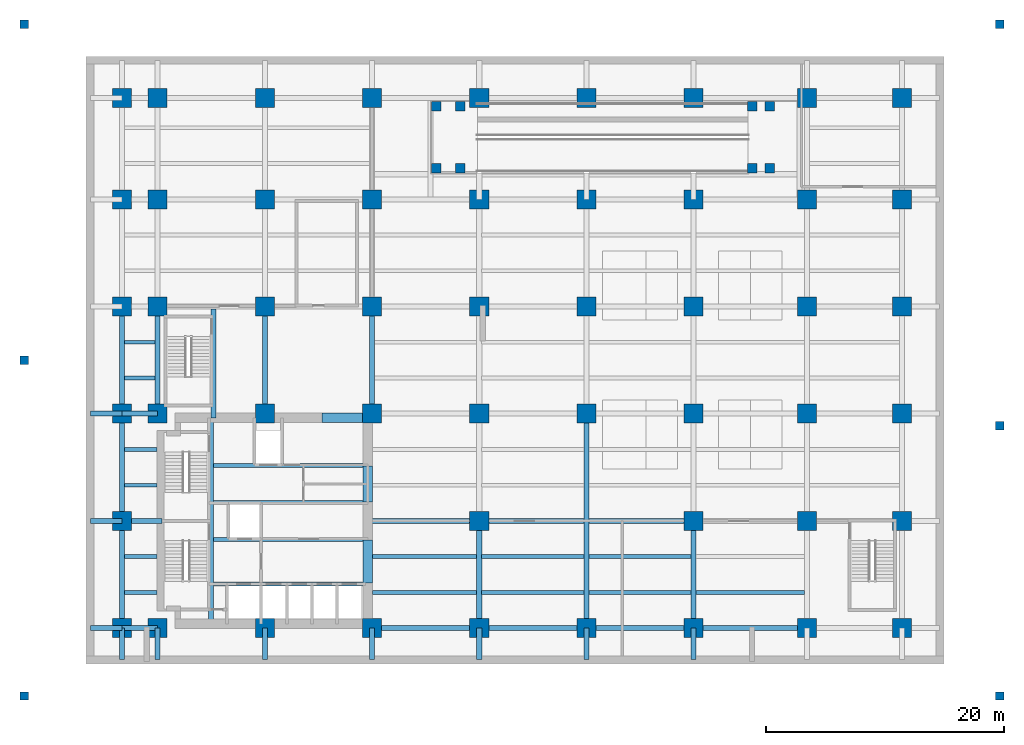
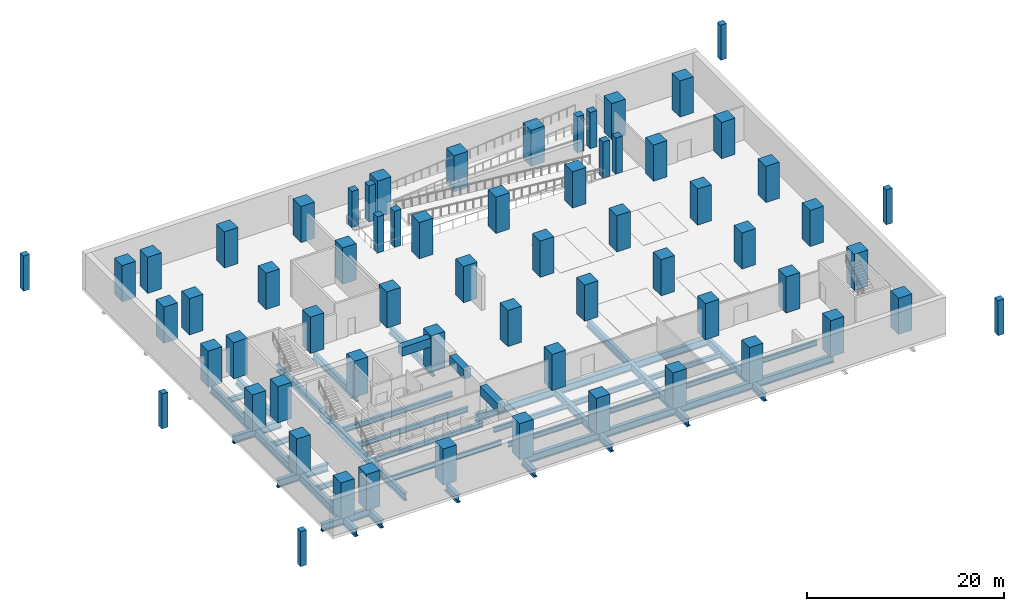
# One storey, part 1 of 10: 64 columns, 50 beams.
"""IFC4 building model written with IfcOpenShell, lengths in metres."""

from ifc_helpers import new_model, si_unit, direction, frame, origin, origin_2d, place, context, subcontext, project, spatial, rectangle, i_section, extrude, material, material_profile, profile_set, type_object, element, save


model = new_model("IFC4")

# Units and contexts
model_context = context("Model", 3, precision=1e-05, world=origin(), true_north=direction((0.0, 1.0)))
body_context = subcontext(model_context, "Body", "Model", "MODEL_VIEW")
ifc_project = project(units=[si_unit("LENGTHUNIT", "METRE"), si_unit("AREAUNIT", "SQUARE_METRE"), si_unit("VOLUMEUNIT", "CUBIC_METRE"), si_unit("PLANEANGLEUNIT", "RADIAN"), si_unit("MASSUNIT", "GRAM", prefix="KILO")], contexts=[model_context])

# Site, building, storey
site_placement = place(None, origin())
site = spatial("IfcSite", under=ifc_project, at=site_placement, CompositionType="ELEMENT")
building_placement = place(site_placement, origin())
building = spatial("IfcBuilding", under=site, at=building_placement, Name="Mawjdan Bourse Tower", CompositionType="ELEMENT")
storey_placement = place(building_placement, frame((0.0, 0.0, -4.5)))
storey = spatial("IfcBuildingStorey", under=building, at=storey_placement, Name="B01", CompositionType="ELEMENT", Elevation=-4.5)

# Columns
ifc_material_1 = material(Name="Concrete C80/95", Category="concrete")
ifc_material_profile_1 = material_profile(ifc_material_1, rectangle(XDim=1.60009765625, YDim=1.60009765625, at=origin_2d()), Name="RC1600X1600")
ifc_profile_set_1 = profile_set([ifc_material_profile_1], Name="Concrete C80/95")
column_type_1 = type_object("IfcColumnType", Name="COL-RC1600X1600", PredefinedType="COLUMN", material=ifc_profile_set_1)
for number, where, z_axis, x_axis, name in (
    (1, (3.0, 3.0, 0.0), (0.0, 0.0, 1.0), (1.0, 0.0, 0.0), "B01 Structural Column C-X30-Y30"),
    (2, (3.0, 12.0, 0.0), (0.0, 0.0, 1.0), (1.0, 0.0, 0.0), "B01 Structural Column C-X30-Y120"),
    (3, (3.0, 21.0, 0.0), (0.0, 0.0, 1.0), (1.0, 0.0, 0.0), "B01 Structural Column C-X30-Y210"),
    (4, (3.0, 30.0, 0.0), (0.0, 0.0, 1.0), (1.0, 0.0, 0.0), "B01 Structural Column C-X30-Y300"),
    (5, (3.0, 39.0, 0.0), (0.0, 0.0, 1.0), (1.0, 0.0, 0.0), "B01 Structural Column C-X30-Y390"),
    (6, (3.0, 47.5, 0.0), (0.0, 0.0, 1.0), (1.0, 0.0, 0.0), "B01 Structural Column C-X30-Y475"),
    (7, (6.0, 3.0, 0.0), (0.0, 0.0, 1.0), (1.0, 0.0, 0.0), "B01 Structural Column C-X60-Y30"),
    (8, (6.0, 21.0, 0.0), (0.0, 0.0, 1.0), (1.0, 0.0, 0.0), "B01 Structural Column C-X60-Y210"),
    (9, (6.0, 30.0, 0.0), (0.0, 0.0, 1.0), (1.0, 0.0, 0.0), "B01 Structural Column C-X60-Y300"),
    (10, (6.0, 39.0, 0.0), (0.0, 0.0, 1.0), (1.0, 0.0, 0.0), "B01 Structural Column C-X60-Y390"),
    (11, (6.0, 47.5, 0.0), (0.0, 0.0, 1.0), (1.0, 0.0, 0.0), "B01 Structural Column C-X60-Y475"),
    (12, (15.0, 3.0, 0.0), (0.0, 0.0, 1.0), (1.0, 0.0, 0.0), "B01 Structural Column C-X150-Y30"),
    (13, (15.0, 21.0, 0.0), (0.0, 0.0, 1.0), (1.0, 0.0, 0.0), "B01 Structural Column C-X150-Y210"),
    (14, (15.0, 30.0, 0.0), (0.0, 0.0, 1.0), (1.0, 0.0, 0.0), "B01 Structural Column C-X150-Y300"),
    (15, (15.0, 39.0, 0.0), (0.0, 0.0, 1.0), (1.0, 0.0, 0.0), "B01 Structural Column C-X150-Y390"),
    (16, (15.0, 47.5, 0.0), (0.0, 0.0, 1.0), (1.0, 0.0, 0.0), "B01 Structural Column C-X150-Y475"),
    (17, (24.0, 3.0, 0.0), (0.0, 0.0, 1.0), (1.0, 0.0, 0.0), "B01 Structural Column C-X240-Y30"),
    (18, (24.0, 21.0, 0.0), (0.0, 0.0, 1.0), (1.0, 0.0, 0.0), "B01 Structural Column C-X240-Y210"),
    (19, (24.0, 30.0, 0.0), (0.0, 0.0, 1.0), (1.0, 0.0, 0.0), "B01 Structural Column C-X240-Y300"),
    (20, (24.0, 39.0, 0.0), (0.0, 0.0, 1.0), (1.0, 0.0, 0.0), "B01 Structural Column C-X240-Y390"),
    (21, (24.0, 47.5, 0.0), (0.0, 0.0, 1.0), (1.0, 0.0, 0.0), "B01 Structural Column C-X240-Y475"),
    (22, (33.0, 3.0, 0.0), (0.0, 0.0, 1.0), (1.0, 0.0, 0.0), "B01 Structural Column C-X330-Y30"),
    (23, (33.0, 12.0, 0.0), (0.0, 0.0, 1.0), (1.0, 0.0, 0.0), "B01 Structural Column C-X330-Y120"),
    (24, (33.0, 21.0, 0.0), (0.0, 0.0, 1.0), (1.0, 0.0, 0.0), "B01 Structural Column C-X330-Y210"),
    (25, (33.0, 30.0, 0.0), (0.0, 0.0, 1.0), (1.0, 0.0, 0.0), "B01 Structural Column C-X330-Y300"),
    (26, (33.0, 39.0, 0.0), (0.0, 0.0, 1.0), (1.0, 0.0, 0.0), "B01 Structural Column C-X330-Y390"),
    (27, (33.0, 47.5, 0.0), (0.0, 0.0, 1.0), (1.0, 0.0, 0.0), "B01 Structural Column C-X330-Y475"),
    (28, (42.0, 3.0, 0.0), (0.0, 0.0, 1.0), (1.0, 0.0, 0.0), "B01 Structural Column C-X420-Y30"),
    (29, (42.0, 21.0, 0.0), (0.0, 0.0, 1.0), (1.0, 0.0, 0.0), "B01 Structural Column C-X420-Y210"),
    (30, (42.0, 30.0, 0.0), (0.0, 0.0, 1.0), (1.0, 0.0, 0.0), "B01 Structural Column C-X420-Y300"),
    (31, (42.0, 39.0, 0.0), (0.0, 0.0, 1.0), (1.0, 0.0, 0.0), "B01 Structural Column C-X420-Y390"),
    (32, (42.0, 47.5, 0.0), (0.0, 0.0, 1.0), (1.0, 0.0, 0.0), "B01 Structural Column C-X420-Y475"),
    (33, (51.0, 3.0, 0.0), (0.0, 0.0, 1.0), (1.0, 0.0, 0.0), "B01 Structural Column C-X510-Y30"),
    (34, (51.0, 12.0, 0.0), (0.0, 0.0, 1.0), (1.0, 0.0, 0.0), "B01 Structural Column C-X510-Y120"),
    (35, (51.0, 21.0, 0.0), (0.0, 0.0, 1.0), (1.0, 0.0, 0.0), "B01 Structural Column C-X510-Y210"),
    (36, (51.0, 30.0, 0.0), (0.0, 0.0, 1.0), (1.0, 0.0, 0.0), "B01 Structural Column C-X510-Y300"),
    (37, (51.0, 39.0, 0.0), (0.0, 0.0, 1.0), (1.0, 0.0, 0.0), "B01 Structural Column C-X510-Y390"),
    (38, (51.0, 47.5, 0.0), (0.0, 0.0, 1.0), (1.0, 0.0, 0.0), "B01 Structural Column C-X510-Y475"),
    (39, (60.5, 3.0, 0.0), (0.0, 0.0, 1.0), (1.0, 0.0, 0.0), "B01 Structural Column C-X605-Y30"),
    (40, (60.5, 12.0, 0.0), (0.0, 0.0, 1.0), (1.0, 0.0, 0.0), "B01 Structural Column C-X605-Y120"),
    (41, (60.5, 21.0, 0.0), (0.0, 0.0, 1.0), (1.0, 0.0, 0.0), "B01 Structural Column C-X605-Y210"),
    (42, (60.5, 30.0, 0.0), (0.0, 0.0, 1.0), (1.0, 0.0, 0.0), "B01 Structural Column C-X605-Y300"),
    (43, (60.5, 39.0, 0.0), (0.0, 0.0, 1.0), (1.0, 0.0, 0.0), "B01 Structural Column C-X605-Y390"),
    (44, (60.5, 47.5, 0.0), (0.0, 0.0, 1.0), (1.0, 0.0, 0.0), "B01 Structural Column C-X605-Y475"),
    (45, (68.5, 3.0, 0.0), (0.0, 0.0, 1.0), (1.0, 0.0, 0.0), "B01 Structural Column C-X685-Y30"),
    (46, (68.5, 12.0, 0.0), (0.0, 0.0, 1.0), (1.0, 0.0, 0.0), "B01 Structural Column C-X685-Y120"),
    (47, (68.5, 21.0, 0.0), (0.0, 0.0, 1.0), (1.0, 0.0, 0.0), "B01 Structural Column C-X685-Y210"),
    (48, (68.5, 30.0, 0.0), (0.0, 0.0, 1.0), (1.0, 0.0, 0.0), "B01 Structural Column C-X685-Y300"),
    (49, (68.5, 39.0, 0.0), (0.0, 0.0, 1.0), (1.0, 0.0, 0.0), "B01 Structural Column C-X685-Y390"),
    (50, (68.5, 47.5, 0.0), (0.0, 0.0, 1.0), (1.0, 0.0, 0.0), "B01 Structural Column C-X685-Y475"),
):
    element("IfcColumn", number, at=place(storey_placement, frame(where, z_axis=z_axis, x_axis=x_axis)), inside=storey, type_object=column_type_1, Name=name, PredefinedType="COLUMN", context=body_context, shape_type="SweptSolid", body=[
        extrude(rectangle(XDim=1.60009765625, YDim=1.60009765625, at=origin_2d()), origin(), (0.0, 0.0, 1.0), 4.5),
    ])
ifc_material_2 = material(Name="Concrete C60/75", Category="concrete")
ifc_material_profile_2 = material_profile(ifc_material_2, rectangle(XDim=0.699951171875, YDim=0.699951171875, at=origin_2d()), Name="RC700X700")
ifc_profile_set_2 = profile_set([ifc_material_profile_2], Name="Concrete C60/75")
column_type_2 = type_object("IfcColumnType", Name="COL-RC700X700", PredefinedType="COLUMN", material=ifc_profile_set_2)
for number, where, z_axis, x_axis, name in (
    (51, (-5.199951171875, -2.699951171875, 0.0), (0.0, 0.0, 1.0), (1.0, 0.0, 0.0), "B01 Structural Column CP-X52W-Y27S"),
    (52, (-5.199951171875, 25.5, 0.0), (0.0, 0.0, 1.0), (1.0, 0.0, 0.0), "B01 Structural Column CP-X52W-Y255N"),
    (53, (-5.199951171875, 53.699951171875, 0.0), (0.0, 0.0, 1.0), (1.0, 0.0, 0.0), "B01 Structural Column CP-X52W-Y537N"),
    (54, (76.699951171875, -2.699951171875, 0.0), (0.0, 0.0, 1.0), (1.0, 0.0, 0.0), "B01 Structural Column CP-X767E-Y27S"),
    (55, (76.699951171875, 20.0, 0.0), (0.0, 0.0, 1.0), (1.0, 0.0, 0.0), "B01 Structural Column CP-X767E-Y200N"),
    (56, (76.699951171875, 53.699951171875, 0.0), (0.0, 0.0, 1.0), (1.0, 0.0, 0.0), "B01 Structural Column CP-X767E-Y537N"),
):
    element("IfcColumn", number, at=place(storey_placement, frame(where, z_axis=z_axis, x_axis=x_axis)), inside=storey, type_object=column_type_2, Name=name, PredefinedType="COLUMN", context=body_context, shape_type="SweptSolid", body=[
        extrude(rectangle(XDim=0.699951171875, YDim=0.699951171875, at=origin_2d()), origin(), (0.0, 0.0, 1.0), 4.35009765625),
    ])
ifc_material_profile_3 = material_profile(ifc_material_2, rectangle(XDim=0.800048828125, YDim=0.800048828125, at=origin_2d()), Name="RC800X800")
ifc_profile_set_3 = profile_set([ifc_material_profile_3], Name="Concrete C60/75")
column_type_3 = type_object("IfcColumnType", Name="COL-RC800X800", PredefinedType="COLUMN", material=ifc_profile_set_3)
for number, where, z_axis, x_axis, name in (
    (57, (29.39990234375, 41.60009765625, 0.0), (0.0, 0.0, 1.0), (1.0, 0.0, 0.0), "B01 Ramp Support Column 1"),
    (58, (29.39990234375, 46.800048828125, 0.0), (0.0, 0.0, 1.0), (1.0, 0.0, 0.0), "B01 Ramp Support Column 2"),
    (59, (31.39990234375, 41.60009765625, 0.0), (0.0, 0.0, 1.0), (1.0, 0.0, 0.0), "B01 Ramp Support Column 3"),
    (60, (31.39990234375, 46.800048828125, 0.0), (0.0, 0.0, 1.0), (1.0, 0.0, 0.0), "B01 Ramp Support Column 4"),
    (61, (55.89990234375, 41.60009765625, 0.0), (0.0, 0.0, 1.0), (1.0, 0.0, 0.0), "B01 Ramp Support Column 5"),
    (62, (55.89990234375, 46.800048828125, 0.0), (0.0, 0.0, 1.0), (1.0, 0.0, 0.0), "B01 Ramp Support Column 6"),
    (63, (57.39990234375, 41.60009765625, 0.0), (0.0, 0.0, 1.0), (1.0, 0.0, 0.0), "B01 Ramp Support Column 7"),
    (64, (57.39990234375, 46.800048828125, 0.0), (0.0, 0.0, 1.0), (1.0, 0.0, 0.0), "B01 Ramp Support Column 8"),
):
    element("IfcColumn", number, at=place(storey_placement, frame(where, z_axis=z_axis, x_axis=x_axis)), inside=storey, type_object=column_type_3, Name=name, PredefinedType="COLUMN", context=body_context, shape_type="SweptSolid", body=[
        extrude(rectangle(XDim=0.800048828125, YDim=0.800048828125, at=origin_2d()), origin(), (0.0, 0.0, 1.0), 4.5),
    ])

# Beams
ifc_material_3 = material(Name="Structural Steel S460", Category="steel")
ifc_material_profile_4 = material_profile(ifc_material_3, i_section(OverallWidth=0.423095703125, OverallDepth=0.93994140625, WebThickness=0.02392578125, FlangeThickness=0.042724609375, FilletRadius=0.0341796875, at=origin_2d()), Name="W36X302")
ifc_profile_set_4 = profile_set([ifc_material_profile_4], Name="Structural Steel S460")
beam_type_1 = type_object("IfcBeamType", Name="GRD-W36X302", PredefinedType="BEAM", material=ifc_profile_set_4)
beam_1_placement = place(storey_placement, frame((10.47998046875, 3.35009765625, -0.820068359375), z_axis=(0.0, 1.0, 0.0), x_axis=(-1.0, 0.0, 0.0)))
element("IfcBeam", 65, at=beam_1_placement, inside=storey, type_object=beam_type_1, Name="B01 Core Stair Trimmer Girder 001", PredefinedType="BEAM", context=body_context, shape_type="SweptSolid", body=[
    extrude(i_section(OverallWidth=0.423095703125, OverallDepth=0.93994140625, WebThickness=0.02392578125, FlangeThickness=0.042724609375, FilletRadius=0.0341796875, at=origin_2d()), origin(), (0.0, 0.0, 1.0), 17.2998046875),
])
beam_2_placement = place(storey_placement, frame((10.679931640625, 20.64990234375, -0.820068359375), z_axis=(0.0, 1.0, 0.0), x_axis=(-1.0, 0.0, 0.0)))
element("IfcBeam", 66, at=beam_2_placement, inside=storey, type_object=beam_type_1, Name="B01 North Stair Trimmer Girder 005", PredefinedType="BEAM", context=body_context, shape_type="SweptSolid", body=[
    extrude(i_section(OverallWidth=0.423095703125, OverallDepth=0.93994140625, WebThickness=0.02392578125, FlangeThickness=0.042724609375, FilletRadius=0.0341796875, at=origin_2d()), origin(), (0.0, 0.0, 1.0), 9.140625),
])
beam_3_placement = place(storey_placement, frame((3.0, 0.35009765625, -0.820068359375), z_axis=(0.0, 1.0, 0.0), x_axis=(-1.0, 0.0, 0.0)))
element("IfcBeam", 67, at=beam_3_placement, inside=storey, type_object=beam_type_1, Name="B01 Podium Primary Girder 006", PredefinedType="BEAM", context=body_context, shape_type="SweptSolid", body=[
    extrude(i_section(OverallWidth=0.423095703125, OverallDepth=0.93994140625, WebThickness=0.02392578125, FlangeThickness=0.042724609375, FilletRadius=0.0341796875, at=origin_2d()), origin(), (0.0, 0.0, 1.0), 2.64990234375),
])
for number, where, z_axis, x_axis, name in (
    (68, (3.0, 3.0, -0.820068359375), (0.0, 1.0, 0.0), (-1.0, 0.0, 0.0), "B01 Podium Primary Girder 007"),
    (69, (3.0, 12.0, -0.820068359375), (0.0, 1.0, 0.0), (-1.0, 0.0, 0.0), "B01 Podium Primary Girder 008"),
    (70, (3.0, 21.0, -0.820068359375), (0.0, 1.0, 0.0), (-1.0, 0.0, 0.0), "B01 Podium Primary Girder 009"),
):
    element("IfcBeam", number, at=place(storey_placement, frame(where, z_axis=z_axis, x_axis=x_axis)), inside=storey, type_object=beam_type_1, Name=name, PredefinedType="BEAM", context=body_context, shape_type="SweptSolid", body=[
        extrude(i_section(OverallWidth=0.423095703125, OverallDepth=0.93994140625, WebThickness=0.02392578125, FlangeThickness=0.042724609375, FilletRadius=0.0341796875, at=origin_2d()), origin(), (0.0, 0.0, 1.0), 9.0),
    ])
beam_4_placement = place(storey_placement, frame((6.0, 0.35009765625, -0.820068359375), z_axis=(0.0, 1.0, 0.0), x_axis=(-1.0, 0.0, 0.0)))
element("IfcBeam", 71, at=beam_4_placement, inside=storey, type_object=beam_type_1, Name="B01 Podium Primary Girder 013", PredefinedType="BEAM", context=body_context, shape_type="SweptSolid", body=[
    extrude(i_section(OverallWidth=0.423095703125, OverallDepth=0.93994140625, WebThickness=0.02392578125, FlangeThickness=0.042724609375, FilletRadius=0.0341796875, at=origin_2d()), origin(), (0.0, 0.0, 1.0), 2.64990234375),
])
beam_5_placement = place(storey_placement, frame((6.0, 21.0, -0.820068359375), z_axis=(0.0, 1.0, 0.0), x_axis=(-1.0, 0.0, 0.0)))
element("IfcBeam", 72, at=beam_5_placement, inside=storey, type_object=beam_type_1, Name="B01 Podium Primary Girder 014", PredefinedType="BEAM", context=body_context, shape_type="SweptSolid", body=[
    extrude(i_section(OverallWidth=0.423095703125, OverallDepth=0.93994140625, WebThickness=0.02392578125, FlangeThickness=0.042724609375, FilletRadius=0.0341796875, at=origin_2d()), origin(), (0.0, 0.0, 1.0), 9.0),
])
beam_6_placement = place(storey_placement, frame((15.0, 0.35009765625, -0.820068359375), z_axis=(0.0, 1.0, 0.0), x_axis=(-1.0, 0.0, 0.0)))
element("IfcBeam", 73, at=beam_6_placement, inside=storey, type_object=beam_type_1, Name="B01 Podium Primary Girder 018", PredefinedType="BEAM", context=body_context, shape_type="SweptSolid", body=[
    extrude(i_section(OverallWidth=0.423095703125, OverallDepth=0.93994140625, WebThickness=0.02392578125, FlangeThickness=0.042724609375, FilletRadius=0.0341796875, at=origin_2d()), origin(), (0.0, 0.0, 1.0), 2.64990234375),
])
beam_7_placement = place(storey_placement, frame((15.0, 21.0, -0.820068359375), z_axis=(0.0, 1.0, 0.0), x_axis=(-1.0, 0.0, 0.0)))
element("IfcBeam", 74, at=beam_7_placement, inside=storey, type_object=beam_type_1, Name="B01 Podium Primary Girder 019", PredefinedType="BEAM", context=body_context, shape_type="SweptSolid", body=[
    extrude(i_section(OverallWidth=0.423095703125, OverallDepth=0.93994140625, WebThickness=0.02392578125, FlangeThickness=0.042724609375, FilletRadius=0.0341796875, at=origin_2d()), origin(), (0.0, 0.0, 1.0), 9.0),
])
beam_8_placement = place(storey_placement, frame((24.0, 0.35009765625, -0.820068359375), z_axis=(0.0, 1.0, 0.0), x_axis=(-1.0, 0.0, 0.0)))
element("IfcBeam", 75, at=beam_8_placement, inside=storey, type_object=beam_type_1, Name="B01 Podium Primary Girder 023", PredefinedType="BEAM", context=body_context, shape_type="SweptSolid", body=[
    extrude(i_section(OverallWidth=0.423095703125, OverallDepth=0.93994140625, WebThickness=0.02392578125, FlangeThickness=0.042724609375, FilletRadius=0.0341796875, at=origin_2d()), origin(), (0.0, 0.0, 1.0), 2.64990234375),
])
beam_9_placement = place(storey_placement, frame((24.0, 21.0, -0.820068359375), z_axis=(0.0, 1.0, 0.0), x_axis=(-1.0, 0.0, 0.0)))
element("IfcBeam", 76, at=beam_9_placement, inside=storey, type_object=beam_type_1, Name="B01 Podium Primary Girder 024", PredefinedType="BEAM", context=body_context, shape_type="SweptSolid", body=[
    extrude(i_section(OverallWidth=0.423095703125, OverallDepth=0.93994140625, WebThickness=0.02392578125, FlangeThickness=0.042724609375, FilletRadius=0.0341796875, at=origin_2d()), origin(), (0.0, 0.0, 1.0), 9.0),
])
beam_10_placement = place(storey_placement, frame((33.0, 0.35009765625, -0.820068359375), z_axis=(0.0, 1.0, 0.0), x_axis=(-1.0, 0.0, 0.0)))
element("IfcBeam", 77, at=beam_10_placement, inside=storey, type_object=beam_type_1, Name="B01 Podium Primary Girder 028", PredefinedType="BEAM", context=body_context, shape_type="SweptSolid", body=[
    extrude(i_section(OverallWidth=0.423095703125, OverallDepth=0.93994140625, WebThickness=0.02392578125, FlangeThickness=0.042724609375, FilletRadius=0.0341796875, at=origin_2d()), origin(), (0.0, 0.0, 1.0), 2.64990234375),
])
beam_11_placement = place(storey_placement, frame((33.0, 3.0, -0.820068359375), z_axis=(0.0, 1.0, 0.0), x_axis=(-1.0, 0.0, 0.0)))
element("IfcBeam", 78, at=beam_11_placement, inside=storey, type_object=beam_type_1, Name="B01 Podium Primary Girder 029", PredefinedType="BEAM", context=body_context, shape_type="SweptSolid", body=[
    extrude(i_section(OverallWidth=0.423095703125, OverallDepth=0.93994140625, WebThickness=0.02392578125, FlangeThickness=0.042724609375, FilletRadius=0.0341796875, at=origin_2d()), origin(), (0.0, 0.0, 1.0), 9.0),
])
beam_12_placement = place(storey_placement, frame((42.0, 0.35009765625, -0.820068359375), z_axis=(0.0, 1.0, 0.0), x_axis=(-1.0, 0.0, 0.0)))
element("IfcBeam", 79, at=beam_12_placement, inside=storey, type_object=beam_type_1, Name="B01 Podium Primary Girder 035", PredefinedType="BEAM", context=body_context, shape_type="SweptSolid", body=[
    extrude(i_section(OverallWidth=0.423095703125, OverallDepth=0.93994140625, WebThickness=0.02392578125, FlangeThickness=0.042724609375, FilletRadius=0.0341796875, at=origin_2d()), origin(), (0.0, 0.0, 1.0), 2.64990234375),
])
beam_13_placement = place(storey_placement, frame((42.0, 3.0, -0.820068359375), z_axis=(0.0, 1.0, 0.0), x_axis=(-1.0, 0.0, 0.0)))
element("IfcBeam", 80, at=beam_13_placement, inside=storey, type_object=beam_type_1, Name="B01 Podium Primary Girder 036", PredefinedType="BEAM", context=body_context, shape_type="SweptSolid", body=[
    extrude(i_section(OverallWidth=0.423095703125, OverallDepth=0.93994140625, WebThickness=0.02392578125, FlangeThickness=0.042724609375, FilletRadius=0.0341796875, at=origin_2d()), origin(), (0.0, 0.0, 1.0), 18.0),
])
beam_14_placement = place(storey_placement, frame((51.0, 0.35009765625, -0.820068359375), z_axis=(0.0, 1.0, 0.0), x_axis=(-1.0, 0.0, 0.0)))
element("IfcBeam", 81, at=beam_14_placement, inside=storey, type_object=beam_type_1, Name="B01 Podium Primary Girder 041", PredefinedType="BEAM", context=body_context, shape_type="SweptSolid", body=[
    extrude(i_section(OverallWidth=0.423095703125, OverallDepth=0.93994140625, WebThickness=0.02392578125, FlangeThickness=0.042724609375, FilletRadius=0.0341796875, at=origin_2d()), origin(), (0.0, 0.0, 1.0), 2.64990234375),
])
beam_15_placement = place(storey_placement, frame((51.0, 3.0, -0.820068359375), z_axis=(0.0, 1.0, 0.0), x_axis=(-1.0, 0.0, 0.0)))
element("IfcBeam", 82, at=beam_15_placement, inside=storey, type_object=beam_type_1, Name="B01 Podium Primary Girder 042", PredefinedType="BEAM", context=body_context, shape_type="SweptSolid", body=[
    extrude(i_section(OverallWidth=0.423095703125, OverallDepth=0.93994140625, WebThickness=0.02392578125, FlangeThickness=0.042724609375, FilletRadius=0.0341796875, at=origin_2d()), origin(), (0.0, 0.0, 1.0), 9.0),
])
beam_16_placement = place(storey_placement, frame((0.35009765625, 3.0, -0.820068359375), z_axis=(1.0, 0.0, 0.0), x_axis=(0.0, 1.0, 0.0)))
element("IfcBeam", 83, at=beam_16_placement, inside=storey, type_object=beam_type_1, Name="B01 Podium Tie Girder 062", PredefinedType="BEAM", context=body_context, shape_type="SweptSolid", body=[
    extrude(i_section(OverallWidth=0.423095703125, OverallDepth=0.93994140625, WebThickness=0.02392578125, FlangeThickness=0.042724609375, FilletRadius=0.0341796875, at=origin_2d()), origin(), (0.0, 0.0, 1.0), 2.64990234375),
])
beam_17_placement = place(storey_placement, frame((3.0, 3.0, -0.820068359375), z_axis=(1.0, 0.0, 0.0), x_axis=(0.0, 1.0, 0.0)))
element("IfcBeam", 84, at=beam_17_placement, inside=storey, type_object=beam_type_1, Name="B01 Podium Tie Girder 063", PredefinedType="BEAM", context=body_context, shape_type="SweptSolid", body=[
    extrude(i_section(OverallWidth=0.423095703125, OverallDepth=0.93994140625, WebThickness=0.02392578125, FlangeThickness=0.042724609375, FilletRadius=0.0341796875, at=origin_2d()), origin(), (0.0, 0.0, 1.0), 3.0),
])
for number, where, z_axis, x_axis, name in (
    (85, (24.0, 3.0, -0.820068359375), (1.0, 0.0, 0.0), (0.0, 1.0, 0.0), "B01 Podium Tie Girder 064"),
    (86, (33.0, 3.0, -0.820068359375), (1.0, 0.0, 0.0), (0.0, 1.0, 0.0), "B01 Podium Tie Girder 065"),
    (87, (42.0, 3.0, -0.820068359375), (1.0, 0.0, 0.0), (0.0, 1.0, 0.0), "B01 Podium Tie Girder 066"),
):
    element("IfcBeam", number, at=place(storey_placement, frame(where, z_axis=z_axis, x_axis=x_axis)), inside=storey, type_object=beam_type_1, Name=name, PredefinedType="BEAM", context=body_context, shape_type="SweptSolid", body=[
        extrude(i_section(OverallWidth=0.423095703125, OverallDepth=0.93994140625, WebThickness=0.02392578125, FlangeThickness=0.042724609375, FilletRadius=0.0341796875, at=origin_2d()), origin(), (0.0, 0.0, 1.0), 9.0),
    ])
beam_18_placement = place(storey_placement, frame((51.0, 3.0, -0.820068359375), z_axis=(1.0, 0.0, 0.0), x_axis=(0.0, 1.0, 0.0)))
element("IfcBeam", 88, at=beam_18_placement, inside=storey, type_object=beam_type_1, Name="B01 Podium Tie Girder 067", PredefinedType="BEAM", context=body_context, shape_type="SweptSolid", body=[
    extrude(i_section(OverallWidth=0.423095703125, OverallDepth=0.93994140625, WebThickness=0.02392578125, FlangeThickness=0.042724609375, FilletRadius=0.0341796875, at=origin_2d()), origin(), (0.0, 0.0, 1.0), 9.5),
])
beam_19_placement = place(storey_placement, frame((0.35009765625, 12.0, -0.820068359375), z_axis=(1.0, 0.0, 0.0), x_axis=(0.0, 1.0, 0.0)))
element("IfcBeam", 89, at=beam_19_placement, inside=storey, type_object=beam_type_1, Name="B01 Podium Tie Girder 070", PredefinedType="BEAM", context=body_context, shape_type="SweptSolid", body=[
    extrude(i_section(OverallWidth=0.423095703125, OverallDepth=0.93994140625, WebThickness=0.02392578125, FlangeThickness=0.042724609375, FilletRadius=0.0341796875, at=origin_2d()), origin(), (0.0, 0.0, 1.0), 2.64990234375),
])
beam_20_placement = place(storey_placement, frame((3.0, 12.0, -0.820068359375), z_axis=(1.0, 0.0, 0.0), x_axis=(0.0, 1.0, 0.0)))
element("IfcBeam", 90, at=beam_20_placement, inside=storey, type_object=beam_type_1, Name="B01 Podium Core Tie Girder 071", PredefinedType="BEAM", context=body_context, shape_type="SweptSolid", body=[
    extrude(i_section(OverallWidth=0.423095703125, OverallDepth=0.93994140625, WebThickness=0.02392578125, FlangeThickness=0.042724609375, FilletRadius=0.0341796875, at=origin_2d()), origin(), (0.0, 0.0, 1.0), 3.35009765625),
])
beam_21_placement = place(storey_placement, frame((23.64990234375, 12.0, -0.820068359375), z_axis=(1.0, 0.0, 0.0), x_axis=(0.0, 1.0, 0.0)))
element("IfcBeam", 91, at=beam_21_placement, inside=storey, type_object=beam_type_1, Name="B01 Podium Tie Girder 072", PredefinedType="BEAM", context=body_context, shape_type="SweptSolid", body=[
    extrude(i_section(OverallWidth=0.423095703125, OverallDepth=0.93994140625, WebThickness=0.02392578125, FlangeThickness=0.042724609375, FilletRadius=0.0341796875, at=origin_2d()), origin(), (0.0, 0.0, 1.0), 9.35009765625),
])
beam_22_placement = place(storey_placement, frame((33.0, 12.0, -0.820068359375), z_axis=(1.0, 0.0, 0.0), x_axis=(0.0, 1.0, 0.0)))
element("IfcBeam", 92, at=beam_22_placement, inside=storey, type_object=beam_type_1, Name="B01 Podium Tie Girder 073", PredefinedType="BEAM", context=body_context, shape_type="SweptSolid", body=[
    extrude(i_section(OverallWidth=0.423095703125, OverallDepth=0.93994140625, WebThickness=0.02392578125, FlangeThickness=0.042724609375, FilletRadius=0.0341796875, at=origin_2d()), origin(), (0.0, 0.0, 1.0), 18.0),
])
beam_23_placement = place(storey_placement, frame((0.35009765625, 21.0, -0.820068359375), z_axis=(1.0, 0.0, 0.0), x_axis=(0.0, 1.0, 0.0)))
element("IfcBeam", 93, at=beam_23_placement, inside=storey, type_object=beam_type_1, Name="B01 Podium Tie Girder 077", PredefinedType="BEAM", context=body_context, shape_type="SweptSolid", body=[
    extrude(i_section(OverallWidth=0.423095703125, OverallDepth=0.93994140625, WebThickness=0.02392578125, FlangeThickness=0.042724609375, FilletRadius=0.0341796875, at=origin_2d()), origin(), (0.0, 0.0, 1.0), 2.64990234375),
])
beam_24_placement = place(storey_placement, frame((3.0, 21.0, -0.820068359375), z_axis=(1.0, 0.0, 0.0), x_axis=(0.0, 1.0, 0.0)))
element("IfcBeam", 94, at=beam_24_placement, inside=storey, type_object=beam_type_1, Name="B01 Podium Tie Girder 078", PredefinedType="BEAM", context=body_context, shape_type="SweptSolid", body=[
    extrude(i_section(OverallWidth=0.423095703125, OverallDepth=0.93994140625, WebThickness=0.02392578125, FlangeThickness=0.042724609375, FilletRadius=0.0341796875, at=origin_2d()), origin(), (0.0, 0.0, 1.0), 3.0),
])
ifc_material_4 = material(Name="Structural Steel S355", Category="steel")
ifc_material_profile_5 = material_profile(ifc_material_4, i_section(OverallWidth=0.324951171875, OverallDepth=0.616943359375, WebThickness=0.013916015625, FlangeThickness=0.021484375, FilletRadius=0.017333984375, at=origin_2d()), Name="W24X117")
ifc_profile_set_5 = profile_set([ifc_material_profile_5], Name="Structural Steel S355")
beam_type_2 = type_object("IfcBeamType", Name="JST-W24X117", PredefinedType="JOIST", material=ifc_profile_set_5)
beam_25_placement = place(storey_placement, frame((3.20947265625, 6.0, -0.658447265625), z_axis=(1.0, 0.0, 0.0), x_axis=(0.0, 1.0, 0.0)))
element("IfcBeam", 95, at=beam_25_placement, inside=storey, type_object=beam_type_2, Name="B01 Composite Floor Joist 115", PredefinedType="JOIST", context=body_context, shape_type="SweptSolid", body=[
    extrude(i_section(OverallWidth=0.324951171875, OverallDepth=0.616943359375, WebThickness=0.013916015625, FlangeThickness=0.021484375, FilletRadius=0.017333984375, at=origin_2d()), origin(), (0.0, 0.0, 1.0), 2.75048828125),
])
beam_26_placement = place(storey_placement, frame((24.0400390625, 6.0, -0.658447265625), z_axis=(1.0, 0.0, 0.0), x_axis=(0.0, 1.0, 0.0)))
element("IfcBeam", 96, at=beam_26_placement, inside=storey, type_object=beam_type_2, Name="B01 Composite Floor Joist 116", PredefinedType="JOIST", context=body_context, shape_type="SweptSolid", body=[
    extrude(i_section(OverallWidth=0.324951171875, OverallDepth=0.616943359375, WebThickness=0.013916015625, FlangeThickness=0.021484375, FilletRadius=0.017333984375, at=origin_2d()), origin(), (0.0, 0.0, 1.0), 8.75048828125),
])
for number, where, z_axis, x_axis, name in (
    (97, (33.20947265625, 6.0, -0.658447265625), (1.0, 0.0, 0.0), (0.0, 1.0, 0.0), "B01 Composite Floor Joist 117"),
    (98, (42.20947265625, 6.0, -0.658447265625), (1.0, 0.0, 0.0), (0.0, 1.0, 0.0), "B01 Composite Floor Joist 118"),
):
    element("IfcBeam", number, at=place(storey_placement, frame(where, z_axis=z_axis, x_axis=x_axis)), inside=storey, type_object=beam_type_2, Name=name, PredefinedType="JOIST", context=body_context, shape_type="SweptSolid", body=[
        extrude(i_section(OverallWidth=0.324951171875, OverallDepth=0.616943359375, WebThickness=0.013916015625, FlangeThickness=0.021484375, FilletRadius=0.017333984375, at=origin_2d()), origin(), (0.0, 0.0, 1.0), 8.5810546875),
    ])
beam_27_placement = place(storey_placement, frame((51.20947265625, 6.0, -0.658447265625), z_axis=(1.0, 0.0, 0.0), x_axis=(0.0, 1.0, 0.0)))
element("IfcBeam", 99, at=beam_27_placement, inside=storey, type_object=beam_type_2, Name="B01 Composite Floor Joist 119", PredefinedType="JOIST", context=body_context, shape_type="SweptSolid", body=[
    extrude(i_section(OverallWidth=0.324951171875, OverallDepth=0.616943359375, WebThickness=0.013916015625, FlangeThickness=0.021484375, FilletRadius=0.017333984375, at=origin_2d()), origin(), (0.0, 0.0, 1.0), 9.0810546875),
])
beam_28_placement = place(storey_placement, frame((3.20947265625, 9.0, -0.658447265625), z_axis=(1.0, 0.0, 0.0), x_axis=(0.0, 1.0, 0.0)))
element("IfcBeam", 100, at=beam_28_placement, inside=storey, type_object=beam_type_2, Name="B01 Composite Floor Joist 120", PredefinedType="JOIST", context=body_context, shape_type="SweptSolid", body=[
    extrude(i_section(OverallWidth=0.324951171875, OverallDepth=0.616943359375, WebThickness=0.013916015625, FlangeThickness=0.021484375, FilletRadius=0.017333984375, at=origin_2d()), origin(), (0.0, 0.0, 1.0), 2.75048828125),
])
beam_29_placement = place(storey_placement, frame((24.0400390625, 9.0, -0.658447265625), z_axis=(1.0, 0.0, 0.0), x_axis=(0.0, 1.0, 0.0)))
element("IfcBeam", 101, at=beam_29_placement, inside=storey, type_object=beam_type_2, Name="B01 Composite Floor Joist 121", PredefinedType="JOIST", context=body_context, shape_type="SweptSolid", body=[
    extrude(i_section(OverallWidth=0.324951171875, OverallDepth=0.616943359375, WebThickness=0.013916015625, FlangeThickness=0.021484375, FilletRadius=0.017333984375, at=origin_2d()), origin(), (0.0, 0.0, 1.0), 8.75048828125),
])
for number, where, z_axis, x_axis, name in (
    (102, (33.20947265625, 9.0, -0.658447265625), (1.0, 0.0, 0.0), (0.0, 1.0, 0.0), "B01 Composite Floor Joist 122"),
    (103, (42.20947265625, 9.0, -0.658447265625), (1.0, 0.0, 0.0), (0.0, 1.0, 0.0), "B01 Composite Floor Joist 123"),
):
    element("IfcBeam", number, at=place(storey_placement, frame(where, z_axis=z_axis, x_axis=x_axis)), inside=storey, type_object=beam_type_2, Name=name, PredefinedType="JOIST", context=body_context, shape_type="SweptSolid", body=[
        extrude(i_section(OverallWidth=0.324951171875, OverallDepth=0.616943359375, WebThickness=0.013916015625, FlangeThickness=0.021484375, FilletRadius=0.017333984375, at=origin_2d()), origin(), (0.0, 0.0, 1.0), 8.5810546875),
    ])
for number, where, z_axis, x_axis, name in (
    (104, (3.20947265625, 15.0, -0.658447265625), (1.0, 0.0, 0.0), (0.0, 1.0, 0.0), "B01 Composite Floor Joist 125"),
    (105, (3.20947265625, 18.0, -0.658447265625), (1.0, 0.0, 0.0), (0.0, 1.0, 0.0), "B01 Composite Floor Joist 131"),
):
    element("IfcBeam", number, at=place(storey_placement, frame(where, z_axis=z_axis, x_axis=x_axis)), inside=storey, type_object=beam_type_2, Name=name, PredefinedType="JOIST", context=body_context, shape_type="SweptSolid", body=[
        extrude(i_section(OverallWidth=0.324951171875, OverallDepth=0.616943359375, WebThickness=0.013916015625, FlangeThickness=0.021484375, FilletRadius=0.017333984375, at=origin_2d()), origin(), (0.0, 0.0, 1.0), 2.75048828125),
    ])
for number, where, z_axis, x_axis, name in (
    (106, (3.20947265625, 24.0, -0.658447265625), (1.0, 0.0, 0.0), (0.0, 1.0, 0.0), "B01 Composite Floor Joist 137"),
    (107, (3.20947265625, 27.0, -0.658447265625), (1.0, 0.0, 0.0), (0.0, 1.0, 0.0), "B01 Composite Floor Joist 143"),
):
    element("IfcBeam", number, at=place(storey_placement, frame(where, z_axis=z_axis, x_axis=x_axis)), inside=storey, type_object=beam_type_2, Name=name, PredefinedType="JOIST", context=body_context, shape_type="SweptSolid", body=[
        extrude(i_section(OverallWidth=0.324951171875, OverallDepth=0.616943359375, WebThickness=0.013916015625, FlangeThickness=0.021484375, FilletRadius=0.017333984375, at=origin_2d()), origin(), (0.0, 0.0, 1.0), 2.5810546875),
    ])
for number, where, z_axis, x_axis, name in (
    (108, (10.689453125, 6.699951171875, -0.658447265625), (1.0, 0.0, 0.0), (0.0, 1.0, 0.0), "B01 Core Slab Joist 173"),
    (109, (10.689453125, 10.449951171875, -0.658447265625), (1.0, 0.0, 0.0), (0.0, 1.0, 0.0), "B01 Core Slab Joist 174"),
    (110, (10.689453125, 13.550048828125, -0.658447265625), (1.0, 0.0, 0.0), (0.0, 1.0, 0.0), "B01 Core Slab Joist 175"),
    (111, (10.689453125, 16.64990234375, -0.658447265625), (1.0, 0.0, 0.0), (0.0, 1.0, 0.0), "B01 Core Slab Joist 176"),
):
    element("IfcBeam", number, at=place(storey_placement, frame(where, z_axis=z_axis, x_axis=x_axis)), inside=storey, type_object=beam_type_2, Name=name, PredefinedType="JOIST", context=body_context, shape_type="SweptSolid", body=[
        extrude(i_section(OverallWidth=0.324951171875, OverallDepth=0.616943359375, WebThickness=0.013916015625, FlangeThickness=0.021484375, FilletRadius=0.017333984375, at=origin_2d()), origin(), (0.0, 0.0, 1.0), 12.96044921875),
    ])
ifc_material_5 = material(Name="Concrete C70/85", Category="concrete")
ifc_material_profile_6 = material_profile(ifc_material_5, rectangle(XDim=0.800048828125, YDim=1.10009765625, at=origin_2d()), Name="RCB800X1100")
ifc_profile_set_6 = profile_set([ifc_material_profile_6], Name="Concrete C70/85")
beam_type_3 = type_object("IfcBeamType", Name="LNT-RCB800X1100", PredefinedType="LINTEL", material=ifc_profile_set_6)
beam_30_placement = place(storey_placement, frame((23.64990234375, 6.800048828125, 3.64990234375), z_axis=(0.0, 1.0, 0.0), x_axis=(-1.0, 0.0, 0.0)))
element("IfcBeam", 112, at=beam_30_placement, inside=storey, type_object=beam_type_3, Name="B01 Coupled Core Lintel CB-E1", PredefinedType="LINTEL", context=body_context, shape_type="SweptSolid", body=[
    extrude(rectangle(XDim=0.800048828125, YDim=1.10009765625, at=origin_2d()), origin(), (0.0, 0.0, 1.0), 3.599853515625),
])
beam_31_placement = place(storey_placement, frame((23.64990234375, 13.60009765625, 3.64990234375), z_axis=(0.0, 1.0, 0.0), x_axis=(-1.0, 0.0, 0.0)))
element("IfcBeam", 113, at=beam_31_placement, inside=storey, type_object=beam_type_3, Name="B01 Coupled Core Lintel CB-E2", PredefinedType="LINTEL", context=body_context, shape_type="SweptSolid", body=[
    extrude(rectangle(XDim=0.800048828125, YDim=1.10009765625, at=origin_2d()), origin(), (0.0, 0.0, 1.0), 3.0),
])
beam_32_placement = place(storey_placement, frame((19.800048828125, 20.64990234375, 3.64990234375), z_axis=(1.0, 0.0, 0.0), x_axis=(0.0, 1.0, 0.0)))
element("IfcBeam", 114, at=beam_32_placement, inside=storey, type_object=beam_type_3, Name="B01 Coupled Core Lintel CB-N1", PredefinedType="LINTEL", context=body_context, shape_type="SweptSolid", body=[
    extrude(rectangle(XDim=0.800048828125, YDim=1.10009765625, at=origin_2d()), origin(), (0.0, 0.0, 1.0), 3.849853515625),
])

save(model, "model.ifc")
